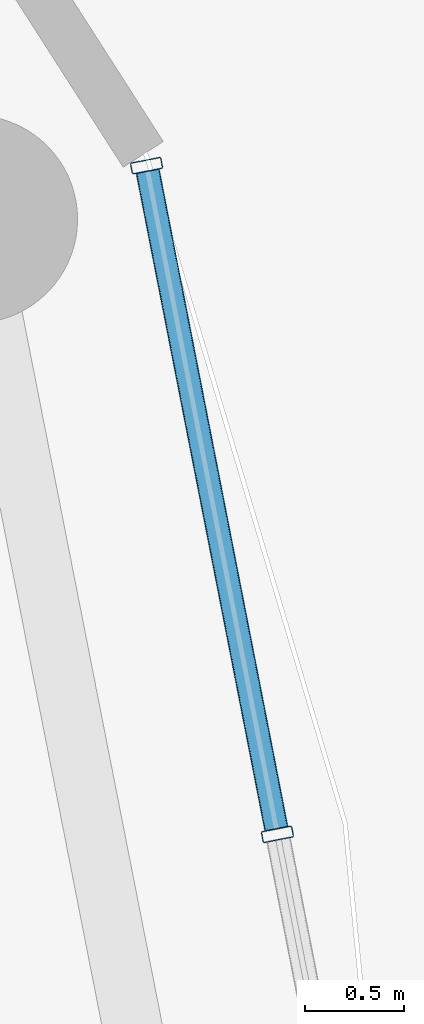
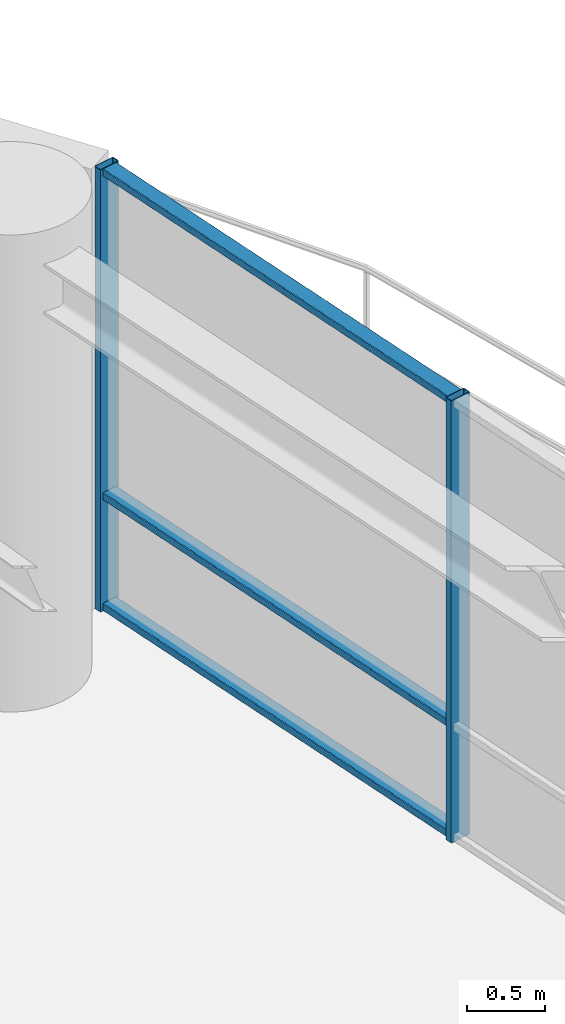
# One storey, part 16 of 31: 5 members, 1 element without a shape of its own.
"""IFC4 building model written with IfcOpenShell, lengths in metres."""

from ifc_helpers import new_model, si_unit, direction, frame, origin, origin_2d, place, context, subcontext, project, spatial, hollow_rectangle, extrude, material, layer, layer_set, material_profile, profile_set, type_object, element, aggregate, save


model = new_model("IFC4")

# Units and contexts
model_context = context("Model", 3, precision=1e-05, world=origin(), true_north=direction((0.0, 1.0)))
body_context = subcontext(model_context, "Body", "Model", "MODEL_VIEW")
ifc_project = project(units=[si_unit("LENGTHUNIT", "METRE"), si_unit("AREAUNIT", "SQUARE_METRE"), si_unit("VOLUMEUNIT", "CUBIC_METRE"), si_unit("PLANEANGLEUNIT", "RADIAN"), si_unit("MASSUNIT", "GRAM", prefix="KILO")], contexts=[model_context])

# Site, building, storey
site_placement = place(None, origin())
site = spatial("IfcSite", under=ifc_project, at=site_placement, CompositionType="ELEMENT")
building_placement = place(site_placement, origin())
building = spatial("IfcBuilding", under=site, at=building_placement, Name="Kelanora Arch Commons", CompositionType="ELEMENT")
storey_placement = place(building_placement, frame((0.0, 0.0, 223.199951171875)))
storey = spatial("IfcBuildingStorey", under=building, at=storey_placement, Name="L57", CompositionType="ELEMENT", Elevation=223.199951171875)

# Curtain wall, members
ifc_material_1 = material(Name="Terracotta ceramic-fritted low-E glass and aluminium", Category="masonry")
ifc_layer = layer(ifc_material_1, 0.175048828125)
ifc_layer_set = layer_set([ifc_layer], Name="Terracotta ceramic-fritted low-E glass and aluminium")
curtain_wall_type = type_object("IfcCurtainWallType", Name="CW-SYS-02", PredefinedType="NOTDEFINED", material=ifc_layer_set)
curtain_wall_placement = place(storey_placement, origin())
curtain_wall = element("IfcCurtainWall", 1, at=curtain_wall_placement, inside=storey, type_object=curtain_wall_type, Name="Unitised Curtain Wall L57-B00", PredefinedType="NOTDEFINED")
ifc_material_2 = material(Name="Powder-coated aluminium terracotta", Category="masonry")
ifc_material_profile_1 = material_profile(ifc_material_2, hollow_rectangle(XDim=0.159912109375, YDim=0.06005859375, WallThickness=0.0048828125, InnerFilletRadius=0.0048828125, OuterFilletRadius=0.010009765625, at=origin_2d()), Name="CWM160x60")
ifc_profile_set_1 = profile_set([ifc_material_profile_1], Name="Powder-coated aluminium terracotta")
member_type_1 = type_object("IfcMemberType", Name="CWM-STD", PredefinedType="MULLION", material=ifc_profile_set_1)
member_1_placement = place(storey_placement, frame((95.530517578125, 61.420166015625, 0.0), z_axis=(0.0, 0.0, 1.0), x_axis=(-0.981381438349, -0.192068926335, 0.0)))
member_1 = element("IfcMember", 2, at=member_1_placement, type_object=member_type_1, Name="CW-02 mullion 2", PredefinedType="MULLION", context=body_context, shape_type="SweptSolid", body=[
    extrude(hollow_rectangle(XDim=0.159912109375, YDim=0.06005859375, WallThickness=0.0048828125, InnerFilletRadius=0.0048828125, OuterFilletRadius=0.010009765625, at=origin_2d()), origin(), (0.0, 0.0, 1.0), 3.47509765625),
])
member_2_placement = place(storey_placement, frame((94.869873046875, 64.796142578125, 0.0), z_axis=(0.0, 0.0, 1.0), x_axis=(-0.981381438349, -0.192068926335, 0.0)))
member_2 = element("IfcMember", 3, at=member_2_placement, type_object=member_type_1, Name="CW-02 mullion 3", PredefinedType="MULLION", context=body_context, shape_type="SweptSolid", body=[
    extrude(hollow_rectangle(XDim=0.159912109375, YDim=0.06005859375, WallThickness=0.0048828125, InnerFilletRadius=0.0048828125, OuterFilletRadius=0.010009765625, at=origin_2d()), origin(), (0.0, 0.0, 1.0), 3.47509765625),
])
ifc_material_profile_2 = material_profile(ifc_material_2, hollow_rectangle(XDim=0.1201171875, YDim=0.06005859375, WallThickness=0.0048828125, InnerFilletRadius=0.0048828125, OuterFilletRadius=0.010009765625, at=origin_2d()), Name="CWT120x60")
ifc_profile_set_2 = profile_set([ifc_material_profile_2], Name="Powder-coated aluminium terracotta")
member_type_2 = type_object("IfcMemberType", Name="CWT-STD", PredefinedType="USERDEFINED", material=ifc_profile_set_2)
member_3_placement = place(storey_placement, frame((95.52490234375, 61.44970703125, 0.030029296875), z_axis=(-0.192058488005, 0.981383481207, 0.0), x_axis=(-0.981383481207, -0.192058488005, 0.0)))
member_3 = element("IfcMember", 4, at=member_3_placement, type_object=member_type_2, Name="CW-02 transom 2.1", ObjectType="TRANSOM", PredefinedType="USERDEFINED", context=body_context, shape_type="SweptSolid", body=[
    extrude(hollow_rectangle(XDim=0.1201171875, YDim=0.06005859375, WallThickness=0.0048828125, InnerFilletRadius=0.0048828125, OuterFilletRadius=0.010009765625, at=origin_2d()), origin(), (0.0, 0.0, 1.0), 3.380126953125),
])
member_4_placement = place(storey_placement, frame((95.52490234375, 61.44970703125, 0.900146484375), z_axis=(-0.192058488005, 0.981383481207, 0.0), x_axis=(-0.981383481207, -0.192058488005, 0.0)))
member_4 = element("IfcMember", 5, at=member_4_placement, type_object=member_type_2, Name="CW-02 transom 2.2", ObjectType="TRANSOM", PredefinedType="USERDEFINED", context=body_context, shape_type="SweptSolid", body=[
    extrude(hollow_rectangle(XDim=0.1201171875, YDim=0.06005859375, WallThickness=0.0048828125, InnerFilletRadius=0.0048828125, OuterFilletRadius=0.010009765625, at=origin_2d()), origin(), (0.0, 0.0, 1.0), 3.380126953125),
])
member_5_placement = place(storey_placement, frame((95.52490234375, 61.44970703125, 3.445068359375), z_axis=(-0.192058488005, 0.981383481207, 0.0), x_axis=(-0.981383481207, -0.192058488005, 0.0)))
member_5 = element("IfcMember", 6, at=member_5_placement, type_object=member_type_2, Name="CW-02 transom 2.3", ObjectType="TRANSOM", PredefinedType="USERDEFINED", context=body_context, shape_type="SweptSolid", body=[
    extrude(hollow_rectangle(XDim=0.1201171875, YDim=0.06005859375, WallThickness=0.0048828125, InnerFilletRadius=0.0048828125, OuterFilletRadius=0.010009765625, at=origin_2d()), origin(), (0.0, 0.0, 1.0), 3.380126953125),
])
aggregate(curtain_wall, [member_1, member_2, member_3, member_4, member_5])

save(model, "model.ifc")
